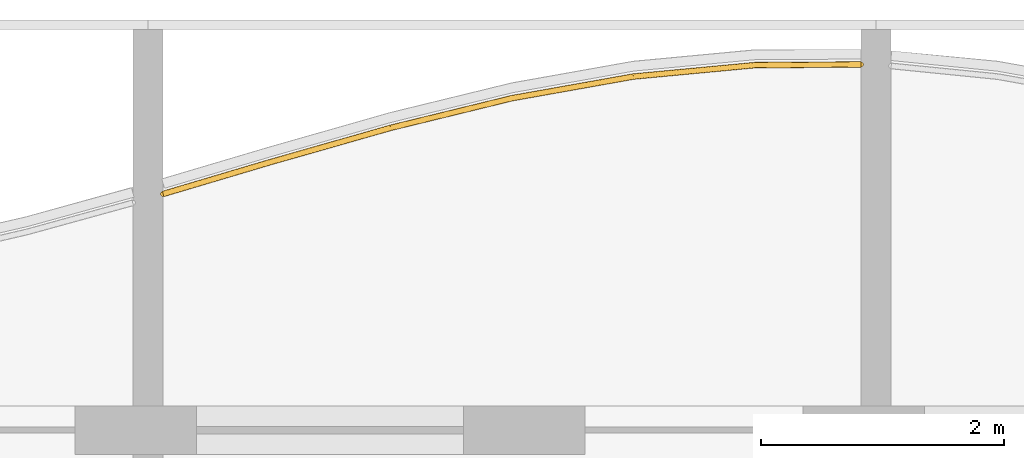
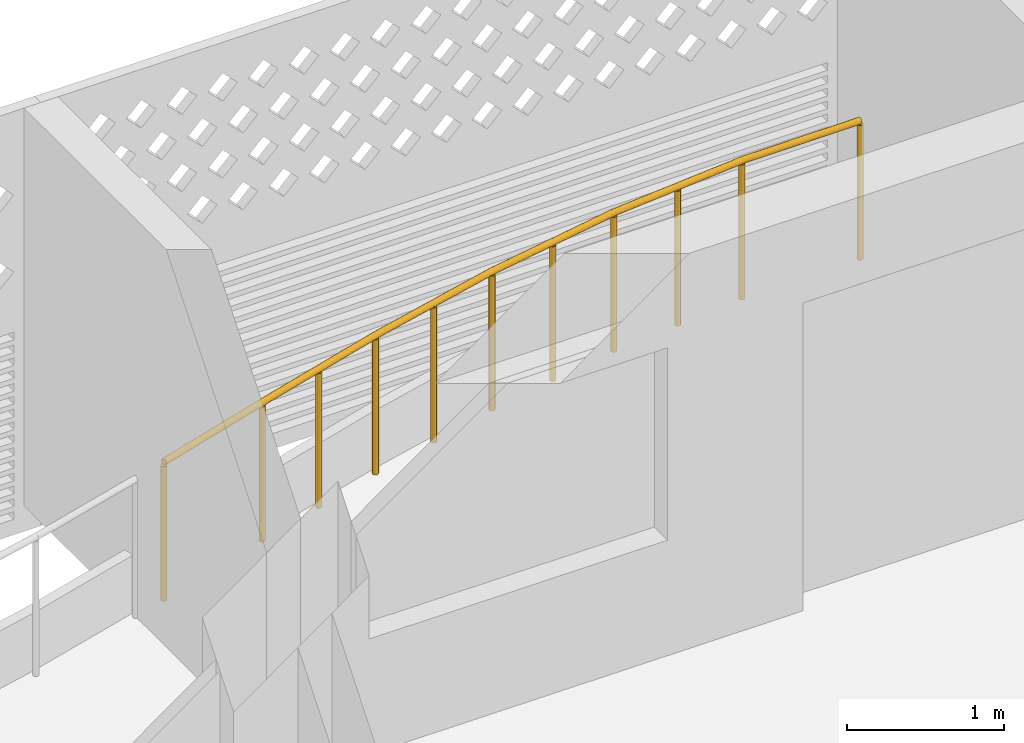
# One storey, part 26 of 29: 1 railing.
"""IFC4 building model written with IfcOpenShell, lengths in metres."""

from ifc_helpers import new_model, si_unit, direction, frame, origin, origin_2d, place, context, subcontext, project, spatial, circle, extrude, material, type_object, element, save


model = new_model("IFC4")

# Units and contexts
model_context = context("Model", 3, precision=1e-05, world=origin(), true_north=direction((0.0, 1.0)))
body_context = subcontext(model_context, "Body", "Model", "MODEL_VIEW")
ifc_project = project(units=[si_unit("LENGTHUNIT", "METRE"), si_unit("AREAUNIT", "SQUARE_METRE"), si_unit("VOLUMEUNIT", "CUBIC_METRE"), si_unit("PLANEANGLEUNIT", "RADIAN"), si_unit("MASSUNIT", "GRAM", prefix="KILO")], contexts=[model_context])

# Site, building, storey
site_placement = place(None, origin())
site = spatial("IfcSite", under=ifc_project, at=site_placement, CompositionType="ELEMENT")
building_placement = place(site_placement, origin())
building = spatial("IfcBuilding", under=site, at=building_placement, Name="Poui Terraces", CompositionType="ELEMENT")
storey_placement = place(building_placement, frame((0.0, 0.0, 231.300048828125)))
storey = spatial("IfcBuildingStorey", under=building, at=storey_placement, Name="L64", CompositionType="ELEMENT", Elevation=231.300048828125)

# Railing
ifc_material = material(Name="Painted steel fretwork", Category="steel")
railing_type = type_object("IfcRailingType", Name="BALCONY GUARD 1100", PredefinedType="GUARDRAIL", material=ifc_material)
railing_placement = place(storey_placement, frame((66.125, 43.146484375, 0.0)))
element("IfcRailing", 1, at=railing_placement, inside=storey, type_object=railing_type, Name="BALCONY GUARD", PredefinedType="GUARDRAIL", context=body_context, shape_type="SweptSolid", body=[
    extrude(circle(Radius=0.02392578125, at=origin_2d()), frame((0.0, 0.0, 1.076171875), z_axis=(0.958573864065, 0.28484407512, 0.0), x_axis=(-0.28484407512, 0.958573864065, 0.0)), (0.0, 0.0, 1.0), 0.912841796875),
    extrude(circle(Radius=0.02392578125, at=origin_2d()), frame((0.875, 0.260009765625, 1.076171875), z_axis=(0.961727468954, 0.274007801823, 0.0), x_axis=(-0.274007801823, 0.961727468954, 0.0)), (0.0, 0.0, 1.0), 1.039794921875),
    extrude(circle(Radius=0.02392578125, at=origin_2d()), frame((1.875, 0.544921875, 1.076171875), z_axis=(0.971412377048, 0.23739838609, 0.0), x_axis=(-0.23739838609, 0.971412377048, 0.0)), (0.0, 0.0, 1.0), 1.029541015625),
    extrude(circle(Radius=0.02392578125, at=origin_2d()), frame((2.875, 0.789306640625, 1.076171875), z_axis=(0.984486939112, 0.175457877332, 0.0), x_axis=(-0.175457877332, 0.984486939112, 0.0)), (0.0, 0.0, 1.0), 1.015869140625),
    extrude(circle(Radius=0.02392578125, at=origin_2d()), frame((3.875, 0.967529296875, 1.076171875), z_axis=(0.9956116077, 0.093581657462, 0.0), x_axis=(-0.093581657462, 0.9956116077, 0.0)), (0.0, 0.0, 1.0), 1.00439453125),
    extrude(circle(Radius=0.02392578125, at=origin_2d()), frame((4.875, 1.0615234375, 1.076171875), z_axis=(0.999981160599, 0.006138277213, 0.0), x_axis=(-0.006138277213, 0.999981160599, 0.0)), (0.0, 0.0, 1.0), 0.875),
    extrude(circle(Radius=0.02099609375, at=origin_2d()), origin(), (0.0, 0.0, 1.0), 1.052001953125),
    extrude(circle(Radius=0.02099609375, at=origin_2d()), frame((0.875, 0.260009765625, 0.0)), (0.0, 0.0, 1.0), 1.052001953125),
    extrude(circle(Radius=0.02099609375, at=origin_2d()), frame((1.375, 0.40234375, 0.0)), (0.0, 0.0, 1.0), 1.052001953125),
    extrude(circle(Radius=0.02099609375, at=origin_2d()), frame((1.875, 0.544921875, 0.0)), (0.0, 0.0, 1.0), 1.052001953125),
    extrude(circle(Radius=0.02099609375, at=origin_2d()), frame((2.375, 0.6669921875, 0.0)), (0.0, 0.0, 1.0), 1.052001953125),
    extrude(circle(Radius=0.02099609375, at=origin_2d()), frame((2.875, 0.789306640625, 0.0)), (0.0, 0.0, 1.0), 1.052001953125),
    extrude(circle(Radius=0.02099609375, at=origin_2d()), frame((3.375, 0.87841796875, 0.0)), (0.0, 0.0, 1.0), 1.052001953125),
    extrude(circle(Radius=0.02099609375, at=origin_2d()), frame((3.875, 0.967529296875, 0.0)), (0.0, 0.0, 1.0), 1.052001953125),
    extrude(circle(Radius=0.02099609375, at=origin_2d()), frame((4.375, 1.0146484375, 0.0)), (0.0, 0.0, 1.0), 1.052001953125),
    extrude(circle(Radius=0.02099609375, at=origin_2d()), frame((4.875, 1.0615234375, 0.0)), (0.0, 0.0, 1.0), 1.052001953125),
    extrude(circle(Radius=0.02099609375, at=origin_2d()), frame((5.75, 1.06689453125, 0.0)), (0.0, 0.0, 1.0), 1.052001953125),
])

save(model, "model.ifc")
